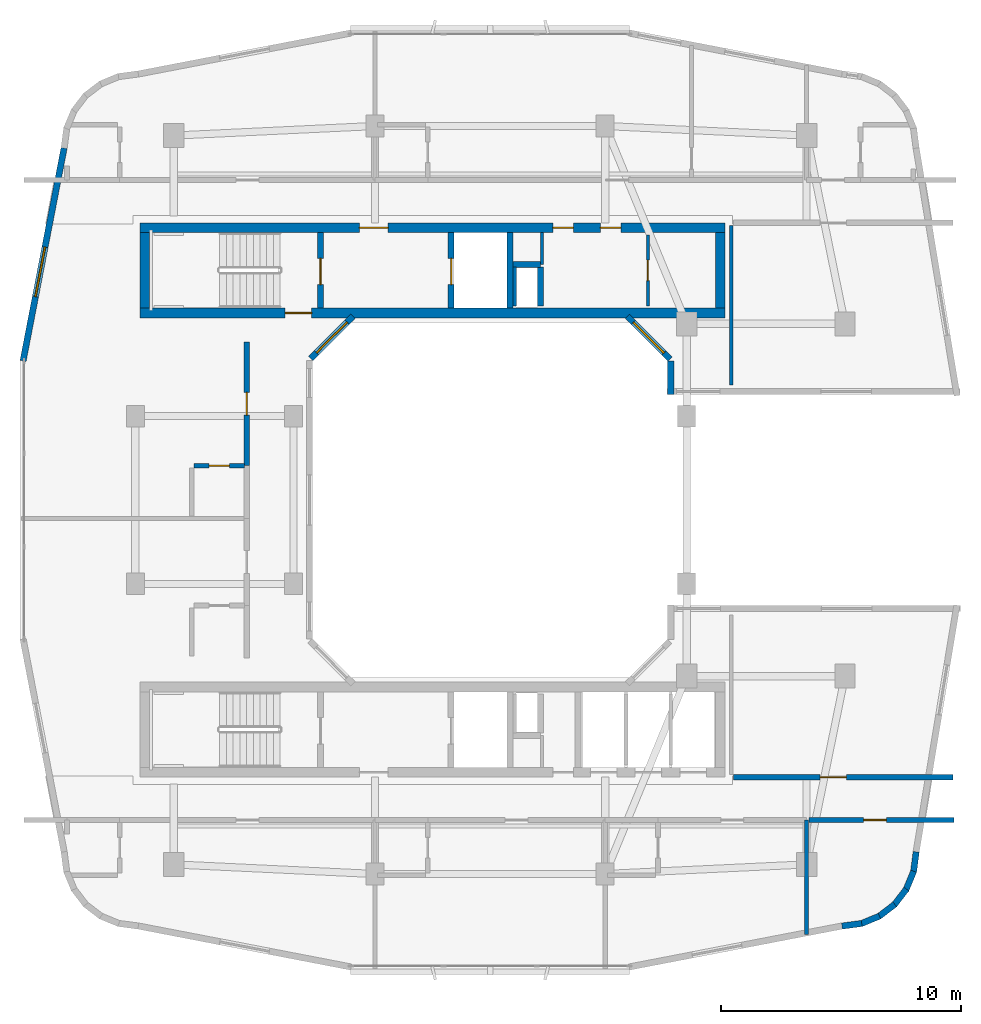
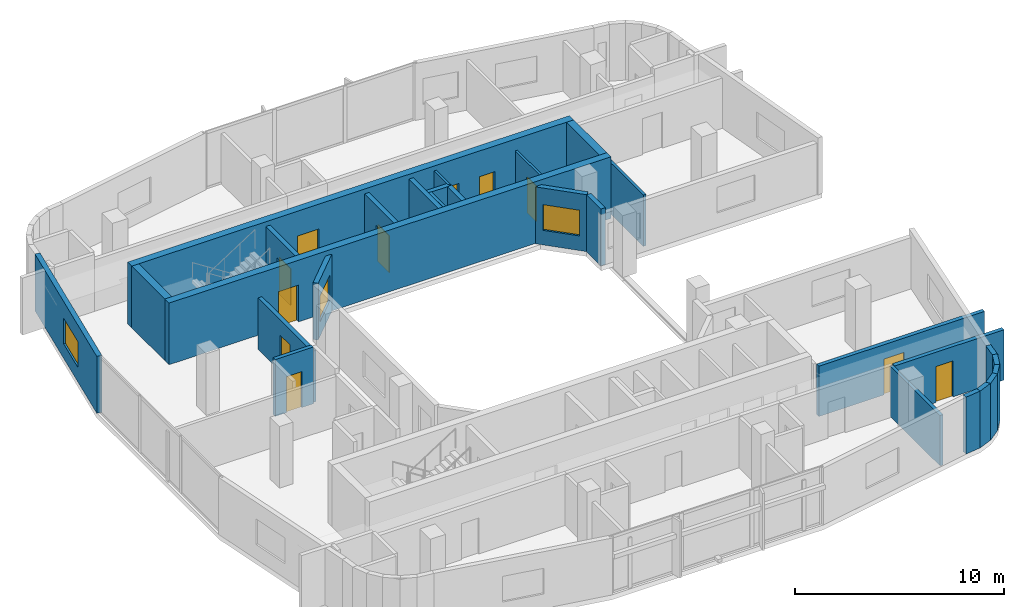
# One storey, part 6 of 12: 28 walls, 11 doors, 3 windows, 14 openings.
"""IFC4 building model written with IfcOpenShell, lengths in metres."""

from ifc_helpers import new_model, si_unit, derived_unit, direction, frame, frame_2d, origin, place, context, subcontext, project, spatial, rectangle, extrude, material, layer, layer_set, type_object, element, fill, save


model = new_model("IFC4")

# Units and contexts
model_context = context("Model", 3, precision=1e-05, world=origin(), true_north=direction((0.0, 1.0)))
body_context = subcontext(model_context, "Body", "Model", "MODEL_VIEW")
ifc_project = project(units=[si_unit("LENGTHUNIT", "METRE"), si_unit("AREAUNIT", "SQUARE_METRE"), si_unit("VOLUMEUNIT", "CUBIC_METRE"), si_unit("PLANEANGLEUNIT", "RADIAN"), si_unit("MASSUNIT", "GRAM", prefix="KILO"), derived_unit("THERMALTRANSMITTANCEUNIT", [(si_unit("POWERUNIT", "WATT"), 1), (si_unit("LENGTHUNIT", "METRE"), -2), (si_unit("THERMODYNAMICTEMPERATUREUNIT", "KELVIN"), -1)])], contexts=[model_context])

# Site, building, storey
site_placement = place(None, origin())
site = spatial("IfcSite", under=ifc_project, at=site_placement, CompositionType="ELEMENT")
building_placement = place(site_placement, origin())
building = spatial("IfcBuilding", under=site, at=building_placement, Name="Kivonza Crest Hotel", CompositionType="ELEMENT")
storey_placement = place(building_placement, frame((0.0, 0.0, 184.699951171875)))
storey = spatial("IfcBuildingStorey", under=building, at=storey_placement, Name="L50", CompositionType="ELEMENT", Elevation=184.699951171875)

# Wall
ifc_material_1 = material(Name="High-density acoustic masonry inter-tenancy wall", Category="masonry")
ifc_layer_1 = layer(ifc_material_1, 0.179931640625)
ifc_layer_set_1 = layer_set([ifc_layer_1], Name="High-density acoustic masonry inter-tenancy wall")
wall_type_1 = type_object("IfcWallType", Name="WL-ACOU-180", PredefinedType="SOLIDWALL", material=ifc_layer_set_1)
wall_1_placement = place(storey_placement, frame((34.199951171875, 6.8720703125, 0.0), z_axis=(0.0, 0.0, 1.0), x_axis=(0.0, 1.0, 0.0)))
element("IfcWall", 1, at=wall_1_placement, inside=storey, type_object=wall_type_1, Name="L50 interior partition WA-L50-T1S-DIV3", PredefinedType="SOLIDWALL", context=body_context, shape_type="SweptSolid", body=[
    extrude(rectangle(XDim=4.77783203125, YDim=0.179931640625, at=frame_2d((2.388916015625, 0.0))), origin(), (0.0, 0.0, 1.0), 2.93505859375),
])

# Wall, opening, door
ifc_material_2 = material(Name="Autoclaved aerated concrete blockwork", Category="masonry")
ifc_layer_2 = layer(ifc_material_2, 0.219970703125)
ifc_layer_set_2 = layer_set([ifc_layer_2], Name="Autoclaved aerated concrete blockwork")
wall_type_2 = type_object("IfcWallType", Name="WL-ACOU-220", PredefinedType="SOLIDWALL", material=ifc_layer_set_2)
wall_2_placement = place(storey_placement, frame((34.300048828125, 11.64990234375, 0.0), z_axis=(0.0, 0.0, 1.0), x_axis=(1.0, 0.0, 0.0)))
wall_2 = element("IfcWall", 2, at=wall_2_placement, inside=storey, type_object=wall_type_2, Name="L50 interior partition WA-L50-BUS-MTG-N", PredefinedType="SOLIDWALL", context=body_context, shape_type="SweptSolid", body=[
    extrude(rectangle(XDim=6.0400390625, YDim=0.219970703125, at=frame_2d((3.02001953125, 0.0))), origin(), (0.0, 0.0, 1.0), 2.93505859375),
])
opening_1_placement = place(wall_2_placement, frame((2.280029296875, 0.0, 0.0)))
opening_1 = element("IfcOpeningElement", 3, at=opening_1_placement, cuts=wall_2, Name="Opening DF-60S", PredefinedType="OPENING", context=body_context, shape_type="SweptSolid", body=[
    extrude(rectangle(XDim=0.949951171875, YDim=2.10009765625, at=frame_2d((0.47509765625, 1.050048828125))), frame((0.0, 0.1201171875, 0.0), z_axis=(0.0, -1.0, 0.0), x_axis=(1.0, 0.0, 0.0)), (0.0, 0.0, 1.0), 0.239990234375),
])
ifc_material_3 = material(Name="Hardwood timber oak", Category="wood")
door_type_1 = type_object("IfcDoorType", Name="DR-FD60-950", OperationType="NOTDEFINED", PredefinedType="DOOR", material=ifc_material_3)
door_1_placement = place(opening_1_placement, frame((0.949951171875, 0.0, 0.0), z_axis=(0.0, 0.0, 1.0), x_axis=(-1.0, 0.0, 0.0)))
door_1 = element("IfcDoor", 4, at=door_1_placement, inside=storey, type_object=door_type_1, Name="L50 Executive Club Lounge door", OperationType="SINGLE_SWING_RIGHT", OverallHeight=2.10009765625, OverallWidth=0.949951171875, PredefinedType="DOOR", context=body_context, shape_type="SweptSolid", body=[
    extrude(rectangle(XDim=0.949951171875, YDim=2.10009765625, at=frame_2d((0.47509765625, 1.050048828125))), frame((0.0, 0.02490234375, 0.0), z_axis=(0.0, -1.0, 0.0), x_axis=(1.0, 0.0, 0.0)), (0.0, 0.0, 1.0), 0.050048828125),
])
fill(opening_1, door_1)

wall_3_placement = place(storey_placement, frame((10.85009765625, 26.429931640625, 0.0), z_axis=(0.0, 0.0, 1.0), x_axis=(0.0, 1.0, 0.0)))
wall_3 = element("IfcWall", 5, at=wall_3_placement, inside=storey, type_object=wall_type_2, Name="L50 interior partition WA-L50-W08-MCORR", PredefinedType="SOLIDWALL", context=body_context, shape_type="SweptSolid", body=[
    extrude(rectangle(XDim=5.170166015625, YDim=0.219970703125, at=frame_2d((2.5849609375, 0.0))), origin(), (0.0, 0.0, 1.0), 2.9951171875),
])
opening_2_placement = place(wall_3_placement, frame((2.110107421875, 0.0, 0.0)))
opening_2 = element("IfcOpeningElement", 6, at=opening_2_placement, cuts=wall_3, Name="Opening DU-60", PredefinedType="OPENING", context=body_context, shape_type="SweptSolid", body=[
    extrude(rectangle(XDim=0.949951171875, YDim=2.10009765625, at=frame_2d((0.47509765625, 1.050048828125))), frame((0.0, 0.1201171875, 0.0), z_axis=(0.0, -1.0, 0.0), x_axis=(1.0, 0.0, 0.0)), (0.0, 0.0, 1.0), 0.239990234375),
])
door_type_2 = type_object("IfcDoorType", Name="DR-UNIT-950", OperationType="NOTDEFINED", PredefinedType="DOOR", material=ifc_material_3)
door_2_placement = place(opening_2_placement, origin())
door_2 = element("IfcDoor", 7, at=door_2_placement, inside=storey, type_object=door_type_2, Name="L50 W08 guest unit entrance fire door", OperationType="SINGLE_SWING_RIGHT", OverallHeight=2.10009765625, OverallWidth=0.949951171875, PredefinedType="DOOR", context=body_context, shape_type="SweptSolid", body=[
    extrude(rectangle(XDim=0.949951171875, YDim=2.10009765625, at=frame_2d((0.47509765625, 1.050048828125))), frame((0.0, 0.02490234375, 0.0), z_axis=(0.0, -1.0, 0.0), x_axis=(1.0, 0.0, 0.0)), (0.0, 0.0, 1.0), 0.050048828125),
])
fill(opening_2, door_2)

wall_4_placement = place(storey_placement, frame((31.14990234375, 13.43994140625, 0.0), z_axis=(0.0, 0.0, 1.0), x_axis=(1.0, 0.0, 0.0)))
wall_4 = element("IfcWall", 8, at=wall_4_placement, inside=storey, type_object=wall_type_2, Name="L50 interior partition WA-L50-EP1-S", PredefinedType="SOLIDWALL", context=body_context, shape_type="SweptSolid", body=[
    extrude(rectangle(XDim=9.150146484375, YDim=0.219970703125, at=frame_2d((4.5751953125, 0.0))), origin(), (0.0, 0.0, 1.0), 2.93505859375),
])
opening_3_placement = place(wall_4_placement, frame((3.612060546875, 0.0, 0.0)))
opening_3 = element("IfcOpeningElement", 9, at=opening_3_placement, cuts=wall_4, Name="Opening DF-60M", PredefinedType="OPENING", context=body_context, shape_type="SweptSolid", body=[
    extrude(rectangle(XDim=1.10009765625, YDim=2.10009765625, at=frame_2d((0.550048828125, 1.050048828125))), frame((0.0, 0.1201171875, 0.0), z_axis=(0.0, -1.0, 0.0), x_axis=(1.0, 0.0, 0.0)), (0.0, 0.0, 1.0), 0.239990234375),
])
door_type_3 = type_object("IfcDoorType", Name="DR-FD60-1100", OperationType="NOTDEFINED", PredefinedType="DOOR", material=ifc_material_3)
door_3_placement = place(opening_3_placement, origin())
door_3 = element("IfcDoor", 10, at=door_3_placement, inside=storey, type_object=door_type_3, Name="L50 South Portal Sky Salon door", OperationType="SINGLE_SWING_RIGHT", OverallHeight=2.10009765625, OverallWidth=1.10009765625, PredefinedType="DOOR", context=body_context, shape_type="SweptSolid", body=[
    extrude(rectangle(XDim=1.10009765625, YDim=2.10009765625, at=frame_2d((0.550048828125, 1.050048828125))), frame((0.0, 0.02490234375, 0.0), z_axis=(0.0, -1.0, 0.0), x_axis=(1.0, 0.0, 0.0)), (0.0, 0.0, 1.0), 0.050048828125),
])
fill(opening_3, door_3)

ifc_material_4 = material(Name="Concrete C50/60", Category="concrete")
ifc_layer_3 = layer(ifc_material_4, 0.39990234375)
ifc_layer_set_3 = layer_set([ifc_layer_3], Name="Concrete C50/60")
wall_type_3 = type_object("IfcWallType", Name="WL-CORE-400", PredefinedType="SHEAR", material=ifc_layer_set_3)
wall_5_placement = place(storey_placement, frame((6.39990234375, 32.800048828125, 0.0), z_axis=(0.0, 0.0, 1.0), x_axis=(1.0, 0.0, 0.0)))
wall_5 = element("IfcWall", 11, at=wall_5_placement, inside=storey, type_object=wall_type_3, Name="Core wall T1-N South L50", PredefinedType="SHEAR", context=body_context, shape_type="SweptSolid", body=[
    extrude(rectangle(XDim=24.400146484375, YDim=0.39990234375, at=frame_2d((12.2001953125, 0.0))), origin(), (0.0, 0.0, 1.0), 3.60009765625),
])
opening_4_placement = place(wall_5_placement, frame((6.050048828125, 0.0, 0.0)))
opening_4 = element("IfcOpeningElement", 12, at=opening_4_placement, cuts=wall_5, Name="Opening DF-120", PredefinedType="OPENING", context=body_context, shape_type="SweptSolid", body=[
    extrude(rectangle(XDim=1.10009765625, YDim=2.14990234375, at=frame_2d((0.550048828125, 1.074951171875))), frame((0.0, 0.2099609375, 0.0), z_axis=(0.0, -1.0, 0.0), x_axis=(1.0, 0.0, 0.0)), (0.0, 0.0, 1.0), 0.419921875),
])
ifc_material_5 = material(Name="Galvanised steel", Category="steel")
door_type_4 = type_object("IfcDoorType", Name="DR-FD120-1100", OperationType="NOTDEFINED", PredefinedType="DOOR", material=ifc_material_5)
door_4_placement = place(opening_4_placement, origin())
door_4 = element("IfcDoor", 13, at=door_4_placement, inside=storey, type_object=door_type_4, Name="L50 West corridor stair access fire door", OperationType="SINGLE_SWING_LEFT", OverallHeight=2.14990234375, OverallWidth=1.10009765625, PredefinedType="DOOR", context=body_context, shape_type="SweptSolid", body=[
    extrude(rectangle(XDim=1.10009765625, YDim=2.14990234375, at=frame_2d((0.550048828125, 1.074951171875))), frame((0.0, 0.02490234375, 0.0), z_axis=(0.0, -1.0, 0.0), x_axis=(1.0, 0.0, 0.0)), (0.0, 0.0, 1.0), 0.050048828125),
])
fill(opening_4, door_4)

# Wall, openings, doors
wall_6_placement = place(storey_placement, frame((6.39990234375, 36.360107421875, 0.0), z_axis=(0.0, 0.0, 1.0), x_axis=(1.0, 0.0, 0.0)))
wall_6 = element("IfcWall", 14, at=wall_6_placement, inside=storey, type_object=wall_type_3, Name="Core wall T1-N North L50", PredefinedType="SHEAR", context=body_context, shape_type="SweptSolid", body=[
    extrude(rectangle(XDim=24.400146484375, YDim=0.39990234375, at=frame_2d((12.2001953125, 0.0))), origin(), (0.0, 0.0, 1.0), 3.60009765625),
])
opening_5_placement = place(wall_6_placement, frame((9.14990234375, 0.0, 0.0)))
opening_5 = element("IfcOpeningElement", 15, at=opening_5_placement, cuts=wall_6, Name="Opening DF-60", PredefinedType="OPENING", context=body_context, shape_type="SweptSolid", body=[
    extrude(rectangle(XDim=1.199951171875, YDim=2.14990234375, at=frame_2d((0.60009765625, 1.074951171875))), frame((0.0, 0.2099609375, 0.0), z_axis=(0.0, -1.0, 0.0), x_axis=(1.0, 0.0, 0.0)), (0.0, 0.0, 1.0), 0.419921875),
])
opening_6_placement = place(wall_6_placement, frame((19.199951171875, 0.0, 0.0)))
opening_6 = element("IfcOpeningElement", 16, at=opening_6_placement, cuts=wall_6, Name="Opening DF-60R", PredefinedType="OPENING", context=body_context, shape_type="SweptSolid", body=[
    extrude(rectangle(XDim=0.85009765625, YDim=2.10009765625, at=frame_2d((0.425048828125, 1.050048828125))), frame((0.0, 0.2099609375, 0.0), z_axis=(0.0, -1.0, 0.0), x_axis=(1.0, 0.0, 0.0)), (0.0, 0.0, 1.0), 0.419921875),
])
opening_7_placement = place(wall_6_placement, frame((17.219970703125, 0.0, 0.0)))
opening_7 = element("IfcOpeningElement", 17, at=opening_7_placement, cuts=wall_6, Name="Opening DF-60R", PredefinedType="OPENING", context=body_context, shape_type="SweptSolid", body=[
    extrude(rectangle(XDim=0.85009765625, YDim=2.10009765625, at=frame_2d((0.425048828125, 1.050048828125))), frame((0.0, 0.2099609375, 0.0), z_axis=(0.0, -1.0, 0.0), x_axis=(1.0, 0.0, 0.0)), (0.0, 0.0, 1.0), 0.419921875),
])
door_type_5 = type_object("IfcDoorType", Name="DR-FD60-1200", OperationType="NOTDEFINED", PredefinedType="DOOR", material=ifc_material_3)
door_5_placement = place(opening_5_placement, origin())
door_5 = element("IfcDoor", 18, at=door_5_placement, inside=storey, type_object=door_type_5, Name="L50 T1-N firefighting lobby fire door", OperationType="SINGLE_SWING_RIGHT", OverallHeight=2.14990234375, OverallWidth=1.199951171875, PredefinedType="DOOR", context=body_context, shape_type="SweptSolid", body=[
    extrude(rectangle(XDim=1.199951171875, YDim=2.14990234375, at=frame_2d((0.60009765625, 1.074951171875))), frame((0.0, 0.02490234375, 0.0), z_axis=(0.0, -1.0, 0.0), x_axis=(1.0, 0.0, 0.0)), (0.0, 0.0, 1.0), 0.050048828125),
])
fill(opening_5, door_5)
door_type_6 = type_object("IfcDoorType", Name="DR-FD60-850", OperationType="NOTDEFINED", PredefinedType="DOOR", material=ifc_material_3)
door_6_placement = place(opening_6_placement, origin())
door_6 = element("IfcDoor", 19, at=door_6_placement, inside=storey, type_object=door_type_6, Name="L50 T1-N reclaimed core service door", OperationType="SINGLE_SWING_LEFT", OverallHeight=2.10009765625, OverallWidth=0.85009765625, PredefinedType="DOOR", context=body_context, shape_type="SweptSolid", body=[
    extrude(rectangle(XDim=0.85009765625, YDim=2.10009765625, at=frame_2d((0.425048828125, 1.050048828125))), frame((0.0, 0.02490234375, 0.0), z_axis=(0.0, -1.0, 0.0), x_axis=(1.0, 0.0, 0.0)), (0.0, 0.0, 1.0), 0.050048828125),
])
fill(opening_6, door_6)
door_7_placement = place(opening_7_placement, origin())
door_7 = element("IfcDoor", 20, at=door_7_placement, inside=storey, type_object=door_type_6, Name="L50 T1-N core room door", OperationType="SINGLE_SWING_RIGHT", OverallHeight=2.10009765625, OverallWidth=0.85009765625, PredefinedType="DOOR", context=body_context, shape_type="SweptSolid", body=[
    extrude(rectangle(XDim=0.85009765625, YDim=2.10009765625, at=frame_2d((0.425048828125, 1.050048828125))), frame((0.0, 0.02490234375, 0.0), z_axis=(0.0, -1.0, 0.0), x_axis=(1.0, 0.0, 0.0)), (0.0, 0.0, 1.0), 0.050048828125),
])
fill(opening_7, door_7)

# Walls
for number, where, z_axis, x_axis, name in (
    (21, (6.60009765625, 33.0, 0.0), (0.0, 0.0, 1.0), (0.0, 1.0, 0.0), "Core wall T1-N West L50"),
    (22, (30.60009765625, 33.0, 0.0), (0.0, 0.0, 1.0), (0.0, 1.0, 0.0), "Core wall T1-N East L50"),
):
    element("IfcWall", number, at=place(storey_placement, frame(where, z_axis=z_axis, x_axis=x_axis)), inside=storey, type_object=wall_type_3, Name=name, PredefinedType="SHEAR", context=body_context, shape_type="SweptSolid", body=[
        extrude(rectangle(XDim=3.159912109375, YDim=0.39990234375, at=frame_2d((1.580078125, 0.0))), origin(), (0.0, 0.0, 1.0), 3.60009765625),
    ])
ifc_material_6 = material(Name="Precast concrete C40/50", Category="concrete")
ifc_layer_4 = layer(ifc_material_6, 0.260009765625)
ifc_layer_set_4 = layer_set([ifc_layer_4], Name="Precast concrete C40/50")
wall_type_4 = type_object("IfcWallType", Name="WL-EXT-260", PredefinedType="STANDARD", material=ifc_layer_set_4)
wall_7_placement = place(storey_placement, frame((35.675048828125, 7.22802734375, 0.0), z_axis=(0.0, 0.0, 1.0), x_axis=(0.99142134712, 0.130704676564, 0.0)))
element("IfcWall", 23, at=wall_7_placement, inside=storey, type_object=wall_type_4, Name="L50 T1 exterior insulated wall 10", PredefinedType="STANDARD", context=body_context, shape_type="SweptSolid", body=[
    extrude(rectangle(XDim=0.8330078125, YDim=0.260009765625, at=frame_2d((0.41650390625, 0.0))), origin(), (0.0, 0.0, 1.0), 3.320068359375),
])
wall_8_placement = place(storey_placement, frame((36.455078125, 7.319091796875, 0.0), z_axis=(0.0, 0.0, 1.0), x_axis=(0.923712395518, 0.383086687796, 0.0)))
element("IfcWall", 24, at=wall_8_placement, inside=storey, type_object=wall_type_4, Name="L50 T1 exterior insulated wall 11", PredefinedType="STANDARD", context=body_context, shape_type="SweptSolid", body=[
    extrude(rectangle(XDim=0.850830078125, YDim=0.260009765625, at=frame_2d((0.42529296875, 0.0))), origin(), (0.0, 0.0, 1.0), 3.320068359375),
])
for number, where, z_axis, x_axis, name in (
    (25, (37.200927734375, 7.616943359375, 0.0), (0.0, 0.0, 1.0), (0.793860452124, 0.608099977432, 0.0), "L50 T1 exterior insulated wall 12"),
    (26, (37.844970703125, 8.095947265625, 0.0), (0.0, 0.0, 1.0), (0.608099977432, 0.793860452124, 0.0), "L50 T1 exterior insulated wall 13"),
):
    element("IfcWall", number, at=place(storey_placement, frame(where, z_axis=z_axis, x_axis=x_axis)), inside=storey, type_object=wall_type_4, Name=name, PredefinedType="STANDARD", context=body_context, shape_type="SweptSolid", body=[
        extrude(rectangle(XDim=0.850341796875, YDim=0.260009765625, at=frame_2d((0.42529296875, 0.0))), origin(), (0.0, 0.0, 1.0), 3.320068359375),
    ])
wall_9_placement = place(storey_placement, frame((38.341064453125, 8.72705078125, 0.0), z_axis=(0.0, 0.0, 1.0), x_axis=(0.383086687796, 0.923712395518, 0.0)))
element("IfcWall", 27, at=wall_9_placement, inside=storey, type_object=wall_type_4, Name="L50 T1 exterior insulated wall 14", PredefinedType="STANDARD", context=body_context, shape_type="SweptSolid", body=[
    extrude(rectangle(XDim=0.850830078125, YDim=0.260009765625, at=frame_2d((0.42529296875, 0.0))), origin(), (0.0, 0.0, 1.0), 3.320068359375),
])
wall_10_placement = place(storey_placement, frame((38.658935546875, 9.464111328125, 0.0), z_axis=(0.0, 0.0, 1.0), x_axis=(0.130192647656, 0.991488716273, 0.0)))
element("IfcWall", 28, at=wall_10_placement, inside=storey, type_object=wall_type_4, Name="L50 T1 exterior insulated wall 15", PredefinedType="STANDARD", context=body_context, shape_type="SweptSolid", body=[
    extrude(rectangle(XDim=0.8681640625, YDim=0.260009765625, at=frame_2d((0.43408203125, 0.0))), origin(), (0.0, 0.0, 1.0), 3.320068359375),
])

# Wall, opening, window
wall_11_placement = place(storey_placement, frame((13.514892578125, 30.89892578125, 0.0), z_axis=(0.0, 0.0, 1.0), x_axis=(0.707106781187, 0.707106781187, 0.0)))
wall_11 = element("IfcWall", 29, at=wall_11_placement, inside=storey, type_object=wall_type_4, Name="L50 T1 exterior insulated wall 23", PredefinedType="STANDARD", context=body_context, shape_type="SweptSolid", body=[
    extrude(rectangle(XDim=2.493408203125, YDim=0.260009765625, at=frame_2d((1.24658203125, 0.0))), origin(), (0.0, 0.0, 1.0), 3.320068359375),
])
opening_8_placement = place(wall_11_placement, frame((0.346923828125, 0.0, 0.85009765625)))
opening_8 = element("IfcOpeningElement", 30, at=opening_8_placement, cuts=wall_11, Name="Opening WN-03", PredefinedType="OPENING", context=body_context, shape_type="SweptSolid", body=[
    extrude(rectangle(XDim=1.800048828125, YDim=1.5, at=frame_2d((0.89990234375, 0.75))), frame((0.0, 0.14013671875, 0.0), z_axis=(0.0, -1.0, 0.0), x_axis=(1.0, 0.0, 0.0)), (0.0, 0.0, 1.0), 0.280029296875),
])
ifc_material_7 = material(Name="Thermally broken bronze aluminium and low-E double glazing", Category="aluminium")
window_type_1 = type_object("IfcWindowType", Name="WN-180x150", PartitioningType="DOUBLE_PANEL_VERTICAL", PredefinedType="WINDOW", material=ifc_material_7)
window_1_placement = place(opening_8_placement, origin())
window_1 = element("IfcWindow", 31, at=window_1_placement, inside=storey, type_object=window_type_1, Name="L50 T1 facade window 23", OverallHeight=1.5, OverallWidth=1.800048828125, PartitioningType="SINGLE_PANEL", PredefinedType="WINDOW", context=body_context, shape_type="SweptSolid", body=[
    extrude(rectangle(XDim=1.800048828125, YDim=1.5, at=frame_2d((0.89990234375, 0.75))), frame((0.0, 0.030029296875, 0.0), z_axis=(0.0, -1.0, 0.0), x_axis=(1.0, 0.0, 0.0)), (0.0, 0.0, 1.0), 0.06005859375),
])
fill(opening_8, window_1)

wall_12_placement = place(storey_placement, frame((26.721923828125, 32.662109375, 0.0), z_axis=(0.0, 0.0, 1.0), x_axis=(0.707106781187, -0.707106781187, 0.0)))
wall_12 = element("IfcWall", 32, at=wall_12_placement, inside=storey, type_object=wall_type_4, Name="L50 T1 exterior insulated wall 25", PredefinedType="STANDARD", context=body_context, shape_type="SweptSolid", body=[
    extrude(rectangle(XDim=2.52880859375, YDim=0.260009765625, at=frame_2d((1.264404296875, 0.0))), origin(), (0.0, 0.0, 1.0), 3.320068359375),
])
opening_9_placement = place(wall_12_placement, frame((0.364013671875, 0.0, 0.85009765625)))
opening_9 = element("IfcOpeningElement", 33, at=opening_9_placement, cuts=wall_12, Name="Opening WN-03", PredefinedType="OPENING", context=body_context, shape_type="SweptSolid", body=[
    extrude(rectangle(XDim=1.800048828125, YDim=1.5, at=frame_2d((0.89990234375, 0.75))), frame((0.0, 0.14013671875, 0.0), z_axis=(0.0, -1.0, 0.0), x_axis=(1.0, 0.0, 0.0)), (0.0, 0.0, 1.0), 0.280029296875),
])
window_2_placement = place(opening_9_placement, origin())
window_2 = element("IfcWindow", 34, at=window_2_placement, inside=storey, type_object=window_type_1, Name="L50 T1 facade window 25", OverallHeight=1.5, OverallWidth=1.800048828125, PartitioningType="SINGLE_PANEL", PredefinedType="WINDOW", context=body_context, shape_type="SweptSolid", body=[
    extrude(rectangle(XDim=1.800048828125, YDim=1.5, at=frame_2d((0.89990234375, 0.75))), frame((0.0, 0.030029296875, 0.0), z_axis=(0.0, -1.0, 0.0), x_axis=(1.0, 0.0, 0.0)), (0.0, 0.0, 1.0), 0.06005859375),
])
fill(opening_9, window_2)

# Wall
wall_13_placement = place(storey_placement, frame((28.530029296875, 30.7900390625, 0.0), z_axis=(0.0, 0.0, 1.0), x_axis=(0.0, -1.0, 0.0)))
element("IfcWall", 35, at=wall_13_placement, inside=storey, type_object=wall_type_4, Name="L50 T1 exterior insulated wall 26", PredefinedType="STANDARD", context=body_context, shape_type="SweptSolid", body=[
    extrude(rectangle(XDim=1.380126953125, YDim=0.260009765625, at=frame_2d((0.68994140625, 0.0))), origin(), (0.0, 0.0, 1.0), 3.320068359375),
])

# Wall, opening, window
wall_14_placement = place(storey_placement, frame((3.22998046875, 39.68310546875, 0.0), z_axis=(0.0, 0.0, 1.0), x_axis=(-0.189254809039, -0.98192801022, 0.0)))
wall_14 = element("IfcWall", 36, at=wall_14_placement, inside=storey, type_object=wall_type_4, Name="L50 T1 exterior insulated wall 44", PredefinedType="STANDARD", context=body_context, shape_type="SweptSolid", body=[
    extrude(rectangle(XDim=9.045654296875, YDim=0.260009765625, at=frame_2d((4.52294921875, 0.0))), origin(), (0.0, 0.0, 1.0), 3.320068359375),
])
opening_10_placement = place(wall_14_placement, frame((4.2119140625, 0.0, 0.85009765625)))
opening_10 = element("IfcOpeningElement", 37, at=opening_10_placement, cuts=wall_14, Name="Opening WN-04", PredefinedType="OPENING", context=body_context, shape_type="SweptSolid", body=[
    extrude(rectangle(XDim=2.10009765625, YDim=1.5, at=frame_2d((1.050048828125, 0.75))), frame((0.0, 0.14013671875, 0.0), z_axis=(0.0, -1.0, 0.0), x_axis=(1.0, 0.0, 0.0)), (0.0, 0.0, 1.0), 0.280029296875),
])
window_type_2 = type_object("IfcWindowType", Name="WN-210x150", PartitioningType="DOUBLE_PANEL_VERTICAL", PredefinedType="WINDOW", material=ifc_material_7)
window_3_placement = place(opening_10_placement, origin())
window_3 = element("IfcWindow", 38, at=window_3_placement, inside=storey, type_object=window_type_2, Name="L50 T1 facade window 44", OverallHeight=1.5, OverallWidth=2.10009765625, PartitioningType="SINGLE_PANEL", PredefinedType="WINDOW", context=body_context, shape_type="SweptSolid", body=[
    extrude(rectangle(XDim=2.10009765625, YDim=1.5, at=frame_2d((1.050048828125, 0.75))), frame((0.0, 0.030029296875, 0.0), z_axis=(0.0, -1.0, 0.0), x_axis=(1.0, 0.0, 0.0)), (0.0, 0.0, 1.0), 0.06005859375),
])
fill(opening_10, window_3)

# Walls
ifc_material_8 = material(Name="Concrete blockwork fire-compartment wall", Category="masonry")
ifc_layer_5 = layer(ifc_material_8, 0.25)
ifc_layer_set_5 = layer_set([ifc_layer_5], Name="Concrete blockwork fire-compartment wall")
wall_type_5 = type_object("IfcWallType", Name="WL-FIRE-250", PredefinedType="SOLIDWALL", material=ifc_layer_set_5)
wall_15_placement = place(storey_placement, frame((23.10009765625, 33.10009765625, 0.0), z_axis=(0.0, 0.0, 1.0), x_axis=(0.0, 1.0, 0.0)))
element("IfcWall", 39, at=wall_15_placement, inside=storey, type_object=wall_type_5, Name="L50 interior partition WA-L50-T1-N-MEPR-E", PredefinedType="SOLIDWALL", context=body_context, shape_type="SweptSolid", body=[
    extrude(rectangle(XDim=1.619873046875, YDim=0.25, at=frame_2d((0.81005859375, 0.0))), origin(), (0.0, 0.0, 1.0), 3.320068359375),
])
wall_16_placement = place(storey_placement, frame((21.949951171875, 34.820068359375, 0.0), z_axis=(0.0, 0.0, 1.0), x_axis=(1.0, 0.0, 0.0)))
element("IfcWall", 40, at=wall_16_placement, inside=storey, type_object=wall_type_5, Name="L50 interior partition WA-L50-T1-N-MEPR-H", PredefinedType="SOLIDWALL", context=body_context, shape_type="SweptSolid", body=[
    extrude(rectangle(XDim=1.150146484375, YDim=0.25, at=frame_2d((0.5751953125, 0.0))), origin(), (0.0, 0.0, 1.0), 3.320068359375),
])

# Wall, opening, door
ifc_material_9 = material(Name="Metal-stud gypsum board partition", Category="gypsum")
ifc_layer_6 = layer(ifc_material_9, 0.125)
ifc_layer_set_6 = layer_set([ifc_layer_6], Name="Metal-stud gypsum board partition")
wall_type_6 = type_object("IfcWallType", Name="WL-PART-125", PredefinedType="PARTITIONING", material=ifc_layer_set_6)
wall_17_placement = place(storey_placement, frame((27.580078125, 33.10009765625, 0.0), z_axis=(0.0, 0.0, 1.0), x_axis=(0.0, 1.0, 0.0)))
wall_17 = element("IfcWall", 41, at=wall_17_placement, inside=storey, type_object=wall_type_6, Name="L50 interior partition WP-L50-T1-N-RECL", PredefinedType="PARTITIONING", context=body_context, shape_type="SweptSolid", body=[
    extrude(rectangle(XDim=2.9599609375, YDim=0.125, at=frame_2d((1.47998046875, 0.0))), origin(), (0.0, 0.0, 1.0), 2.9951171875),
])
opening_11_placement = place(wall_17_placement, frame((1.054931640625, 0.0, 0.0)))
opening_11 = element("IfcOpeningElement", 42, at=opening_11_placement, cuts=wall_17, Name="Opening DI-85", PredefinedType="OPENING", context=body_context, shape_type="SweptSolid", body=[
    extrude(rectangle(XDim=0.85009765625, YDim=2.10009765625, at=frame_2d((0.425048828125, 1.050048828125))), frame((0.0, 0.072509765625, 0.0), z_axis=(0.0, -1.0, 0.0), x_axis=(1.0, 0.0, 0.0)), (0.0, 0.0, 1.0), 0.14501953125),
])
door_type_7 = type_object("IfcDoorType", Name="DR-INT-850", OperationType="NOTDEFINED", PredefinedType="DOOR", material=ifc_material_3)
door_8_placement = place(opening_11_placement, origin())
door_8 = element("IfcDoor", 43, at=door_8_placement, inside=storey, type_object=door_type_7, Name="L50 T1-N reclaimed inner pantry door", OperationType="SINGLE_SWING_LEFT", OverallHeight=2.10009765625, OverallWidth=0.85009765625, PredefinedType="DOOR", context=body_context, shape_type="SweptSolid", body=[
    extrude(rectangle(XDim=0.85009765625, YDim=2.10009765625, at=frame_2d((0.425048828125, 1.050048828125))), frame((0.0, 0.02490234375, 0.0), z_axis=(0.0, -1.0, 0.0), x_axis=(1.0, 0.0, 0.0)), (0.0, 0.0, 1.0), 0.050048828125),
])
fill(opening_11, door_8)

# Walls
wall_18_placement = place(storey_placement, frame((23.159912109375, 34.820068359375, 0.0), z_axis=(0.0, 0.0, 1.0), x_axis=(0.0, 1.0, 0.0)))
element("IfcWall", 44, at=wall_18_placement, inside=storey, type_object=wall_type_6, Name="L50 interior partition WP-L50-T1-N-SV1V", PredefinedType="PARTITIONING", context=body_context, shape_type="SweptSolid", body=[
    extrude(rectangle(XDim=1.33984375, YDim=0.125, at=frame_2d((0.669921875, 0.0))), origin(), (0.0, 0.0, 1.0), 3.320068359375),
])
ifc_material_10 = material(Name="Twin-stud acoustic gypsum board partition", Category="gypsum")
ifc_layer_7 = layer(ifc_material_10, 0.14990234375)
ifc_layer_set_7 = layer_set([ifc_layer_7], Name="Twin-stud acoustic gypsum board partition")
wall_type_7 = type_object("IfcWallType", Name="WL-PART-150", PredefinedType="PARTITIONING", material=ifc_layer_set_7)
wall_19_placement = place(storey_placement, frame((22.030029296875, 33.10009765625, 0.0), z_axis=(0.0, 0.0, 1.0), x_axis=(0.0, 1.0, 0.0)))
element("IfcWall", 45, at=wall_19_placement, inside=storey, type_object=wall_type_7, Name="L50 interior partition WA-L50-T1-N-MEPR-W", PredefinedType="PARTITIONING", context=body_context, shape_type="SweptSolid", body=[
    extrude(rectangle(XDim=1.619873046875, YDim=0.14990234375, at=frame_2d((0.81005859375, 0.0))), origin(), (0.0, 0.0, 1.0), 3.320068359375),
])
wall_20_placement = place(storey_placement, frame((31.050048828125, 29.800048828125, 0.0), z_axis=(0.0, 0.0, 1.0), x_axis=(0.0, 1.0, 0.0)))
element("IfcWall", 46, at=wall_20_placement, inside=storey, type_object=wall_type_7, Name="L50 interior partition WP-L50-EP2-BW", PredefinedType="PARTITIONING", context=body_context, shape_type="SweptSolid", body=[
    extrude(rectangle(XDim=6.659912109375, YDim=0.14990234375, at=frame_2d((3.330078125, 0.0))), origin(), (0.0, 0.0, 1.0), 2.9951171875),
])

# Wall, opening, door
ifc_material_11 = material(Name="Moisture-resistant plumbing chase partition wall", Category="gypsum")
ifc_layer_8 = layer(ifc_material_11, 0.199951171875)
ifc_layer_set_8 = layer_set([ifc_layer_8], Name="Moisture-resistant plumbing chase partition wall")
wall_type_8 = type_object("IfcWallType", Name="WL-PLUMB-200", PredefinedType="PLUMBINGWALL", material=ifc_layer_set_8)
wall_21_placement = place(storey_placement, frame((8.64990234375, 26.429931640625, 0.0), z_axis=(0.0, 0.0, 1.0), x_axis=(1.0, 0.0, 0.0)))
wall_21 = element("IfcWall", 47, at=wall_21_placement, inside=storey, type_object=wall_type_8, Name="L50 interior partition WW-L50-W08-BH", PredefinedType="PLUMBINGWALL", context=body_context, shape_type="SweptSolid", body=[
    extrude(rectangle(XDim=2.10009765625, YDim=0.199951171875, at=frame_2d((1.050048828125, 0.0))), origin(), (0.0, 0.0, 1.0), 3.320068359375),
])
opening_12_placement = place(wall_21_placement, frame((0.625, 0.0, 0.0)))
opening_12 = element("IfcOpeningElement", 48, at=opening_12_placement, cuts=wall_21, Name="Opening DI-85", PredefinedType="OPENING", context=body_context, shape_type="SweptSolid", body=[
    extrude(rectangle(XDim=0.85009765625, YDim=2.10009765625, at=frame_2d((0.425048828125, 1.050048828125))), frame((0.0, 0.10986328125, 0.0), z_axis=(0.0, -1.0, 0.0), x_axis=(1.0, 0.0, 0.0)), (0.0, 0.0, 1.0), 0.219970703125),
])
door_9_placement = place(opening_12_placement, origin())
door_9 = element("IfcDoor", 49, at=door_9_placement, inside=storey, type_object=door_type_7, Name="L50 W08 en-suite bathroom door", OperationType="SINGLE_SWING_LEFT", OverallHeight=2.10009765625, OverallWidth=0.85009765625, PredefinedType="DOOR", context=body_context, shape_type="SweptSolid", body=[
    extrude(rectangle(XDim=0.85009765625, YDim=2.10009765625, at=frame_2d((0.425048828125, 1.050048828125))), frame((0.0, 0.02490234375, 0.0), z_axis=(0.0, -1.0, 0.0), x_axis=(1.0, 0.0, 0.0)), (0.0, 0.0, 1.0), 0.050048828125),
])
fill(opening_12, door_9)

ifc_layer_9 = layer(ifc_material_4, 0.25)
ifc_layer_set_9 = layer_set([ifc_layer_9], Name="Concrete C50/60")
wall_type_9 = type_object("IfcWallType", Name="WL-SHAFT-250", PredefinedType="STANDARD", material=ifc_layer_set_9)
wall_22_placement = place(storey_placement, frame((13.925048828125, 33.0, 0.0), z_axis=(0.0, 0.0, 1.0), x_axis=(0.0, 1.0, 0.0)))
wall_22 = element("IfcWall", 50, at=wall_22_placement, inside=storey, type_object=wall_type_9, Name="Core shaft wall T1-N STAIR L50", PredefinedType="STANDARD", context=body_context, shape_type="SweptSolid", body=[
    extrude(rectangle(XDim=3.159912109375, YDim=0.25, at=frame_2d((1.580078125, 0.0))), origin(), (0.0, 0.0, 1.0), 3.320068359375),
])
opening_13_placement = place(wall_22_placement, frame((0.97998046875, 0.0, 0.0)))
opening_13 = element("IfcOpeningElement", 51, at=opening_13_placement, cuts=wall_22, Name="Opening DF-120", PredefinedType="OPENING", context=body_context, shape_type="SweptSolid", body=[
    extrude(rectangle(XDim=1.10009765625, YDim=2.14990234375, at=frame_2d((0.550048828125, 1.074951171875))), frame((0.0, 0.135009765625, 0.0), z_axis=(0.0, -1.0, 0.0), x_axis=(1.0, 0.0, 0.0)), (0.0, 0.0, 1.0), 0.27001953125),
])
door_10_placement = place(opening_13_placement, frame((1.10009765625, 0.0, 0.0), z_axis=(0.0, 0.0, 1.0), x_axis=(-1.0, 0.0, 0.0)))
door_10 = element("IfcDoor", 52, at=door_10_placement, inside=storey, type_object=door_type_4, Name="L50 T1-N stair fire door", OperationType="SINGLE_SWING_LEFT", OverallHeight=2.14990234375, OverallWidth=1.10009765625, PredefinedType="DOOR", context=body_context, shape_type="SweptSolid", body=[
    extrude(rectangle(XDim=1.10009765625, YDim=2.14990234375, at=frame_2d((0.550048828125, 1.074951171875))), frame((0.0, 0.02490234375, 0.0), z_axis=(0.0, -1.0, 0.0), x_axis=(1.0, 0.0, 0.0)), (0.0, 0.0, 1.0), 0.050048828125),
])
fill(opening_13, door_10)

wall_23_placement = place(storey_placement, frame((19.375, 33.0, 0.0), z_axis=(0.0, 0.0, 1.0), x_axis=(0.0, 1.0, 0.0)))
wall_23 = element("IfcWall", 53, at=wall_23_placement, inside=storey, type_object=wall_type_9, Name="Core shaft wall T1-N FFL-W L50", PredefinedType="STANDARD", context=body_context, shape_type="SweptSolid", body=[
    extrude(rectangle(XDim=3.159912109375, YDim=0.25, at=frame_2d((1.580078125, 0.0))), origin(), (0.0, 0.0, 1.0), 3.320068359375),
])
opening_14_placement = place(wall_23_placement, frame((0.97998046875, 0.0, 0.0)))
opening_14 = element("IfcOpeningElement", 54, at=opening_14_placement, cuts=wall_23, Name="Opening LD-120", PredefinedType="OPENING", context=body_context, shape_type="SweptSolid", body=[
    extrude(rectangle(XDim=1.10009765625, YDim=2.14990234375, at=frame_2d((0.550048828125, 1.074951171875))), frame((0.0, 0.135009765625, 0.0), z_axis=(0.0, -1.0, 0.0), x_axis=(1.0, 0.0, 0.0)), (0.0, 0.0, 1.0), 0.27001953125),
])
ifc_material_12 = material(Name="Stainless steel", Category="steel")
door_type_8 = type_object("IfcDoorType", Name="DR-LD120-1100", OperationType="NOTDEFINED", PredefinedType="DOOR", material=ifc_material_12)
door_11_placement = place(opening_14_placement, origin())
door_11 = element("IfcDoor", 55, at=door_11_placement, inside=storey, type_object=door_type_8, Name="L50 FFL-T1-N firefighting lift sliding landing door", OperationType="DOUBLE_DOOR_SLIDING", OverallHeight=2.14990234375, OverallWidth=1.10009765625, PredefinedType="DOOR", context=body_context, shape_type="SweptSolid", body=[
    extrude(rectangle(XDim=1.10009765625, YDim=2.14990234375, at=frame_2d((0.550048828125, 1.074951171875))), frame((0.0, 0.02490234375, 0.0), z_axis=(0.0, -1.0, 0.0), x_axis=(1.0, 0.0, 0.0)), (0.0, 0.0, 1.0), 0.050048828125),
])
fill(opening_14, door_11)

# Wall
wall_24_placement = place(storey_placement, frame((21.824951171875, 33.0, 0.0), z_axis=(0.0, 0.0, 1.0), x_axis=(0.0, 1.0, 0.0)))
element("IfcWall", 56, at=wall_24_placement, inside=storey, type_object=wall_type_9, Name="Core shaft wall T1-N FFL-E L50", PredefinedType="STANDARD", context=body_context, shape_type="SweptSolid", body=[
    extrude(rectangle(XDim=3.159912109375, YDim=0.25, at=frame_2d((1.580078125, 0.0))), origin(), (0.0, 0.0, 1.0), 3.320068359375),
])

save(model, "model.ifc")
